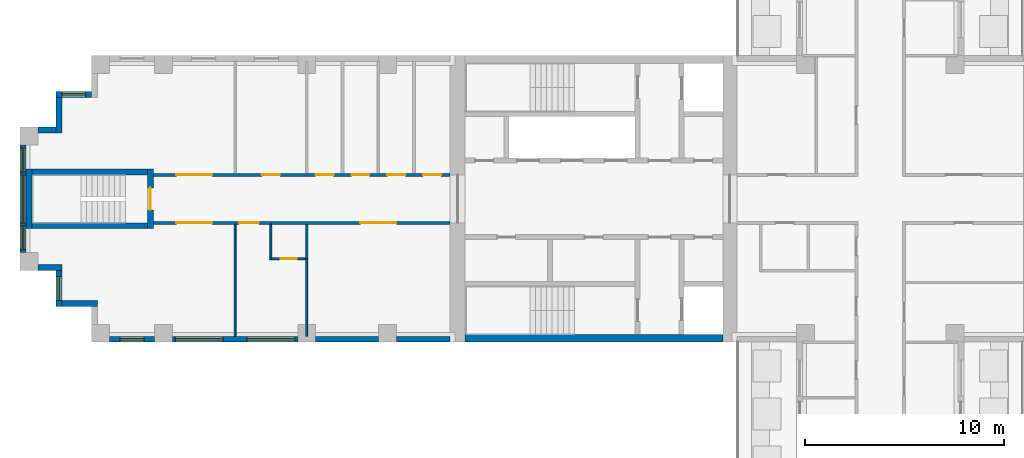
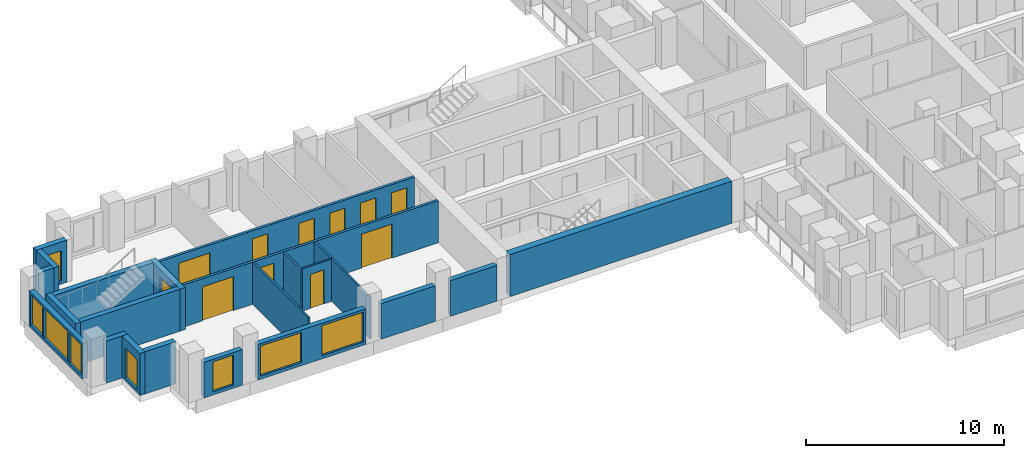
# One storey, part 2 of 11: 23 walls, 11 doors, 8 windows, 19 openings.
"""IFC4 building model written with IfcOpenShell, lengths in metres."""

from ifc_helpers import new_model, si_unit, direction, frame, frame_2d, origin, place, context, subcontext, project, spatial, rectangle, extrude, material, layer, layer_set, type_object, element, fill, save


model = new_model("IFC4")

# Units and contexts
model_context = context("Model", 3, precision=1e-05, world=origin(), true_north=direction((0.0, 1.0)))
body_context = subcontext(model_context, "Body", "Model", "MODEL_VIEW")
ifc_project = project(units=[si_unit("LENGTHUNIT", "METRE"), si_unit("AREAUNIT", "SQUARE_METRE"), si_unit("VOLUMEUNIT", "CUBIC_METRE"), si_unit("PLANEANGLEUNIT", "RADIAN"), si_unit("MASSUNIT", "GRAM", prefix="KILO")], contexts=[model_context])

# Site, building, storey
site_placement = place(None, origin())
site = spatial("IfcSite", under=ifc_project, at=site_placement, CompositionType="ELEMENT")
building_placement = place(site_placement, origin())
building = spatial("IfcBuilding", under=site, at=building_placement, Name="Fustian Cross Tower", CompositionType="ELEMENT")
storey_placement = place(building_placement, frame((0.0, 0.0, 170.699951171875)))
storey = spatial("IfcBuildingStorey", under=building, at=storey_placement, Name="L53", CompositionType="ELEMENT", Elevation=170.699951171875)

# Wall, openings, doors
ifc_material_1 = material(Name="Plasterboard on steel stud", Category="steel")
ifc_layer_1 = layer(ifc_material_1, 0.14990234375)
ifc_layer_set_1 = layer_set([ifc_layer_1], Name="Plasterboard on steel stud")
wall_type_1 = type_object("IfcWallType", Name="COMPARTMENT WALL 150 EI 60", PredefinedType="PARTITIONING", material=ifc_layer_set_1)
wall_1_placement = place(storey_placement, frame((-36.5, -1.199951171875, 0.0), z_axis=(0.0, 0.0, 1.0), x_axis=(1.0, 0.0, 0.0)))
wall_1 = element("IfcWall", 1, at=wall_1_placement, inside=storey, type_object=wall_type_1, Name="Partition 1", PredefinedType="PARTITIONING", context=body_context, shape_type="SweptSolid", body=[
    extrude(rectangle(XDim=14.89990234375, YDim=0.14990234375, at=frame_2d((7.449951171875, 0.0))), origin(), (0.0, 0.0, 1.0), 2.60009765625),
])
opening_1_placement = place(wall_1_placement, frame((10.39990234375, 0.0, 0.0)))
opening_1 = element("IfcOpeningElement", 2, at=opening_1_placement, cuts=wall_1, Name="Opening D25021", PredefinedType="OPENING", context=body_context, shape_type="SweptSolid", body=[
    extrude(rectangle(XDim=1.800048828125, YDim=2.10009765625, at=frame_2d((0.89990234375, 1.050048828125))), frame((0.0, 0.0849609375, 0.0), z_axis=(0.0, -1.0, 0.0), x_axis=(1.0, 0.0, 0.0)), (0.0, 0.0, 1.0), 0.169921875),
])
opening_2_placement = place(wall_1_placement, frame((4.300048828125, 0.0, 0.0)))
opening_2 = element("IfcOpeningElement", 3, at=opening_2_placement, cuts=wall_1, Name="Opening D25023", PredefinedType="OPENING", context=body_context, shape_type="SweptSolid", body=[
    extrude(rectangle(XDim=1.0, YDim=2.10009765625, at=frame_2d((0.5, 1.050048828125))), frame((0.0, 0.0849609375, 0.0), z_axis=(0.0, -1.0, 0.0), x_axis=(1.0, 0.0, 0.0)), (0.0, 0.0, 1.0), 0.169921875),
])
opening_3_placement = place(wall_1_placement, frame((1.14990234375, 0.0, 0.0)))
opening_3 = element("IfcOpeningElement", 4, at=opening_3_placement, cuts=wall_1, Name="Opening D25024", PredefinedType="OPENING", context=body_context, shape_type="SweptSolid", body=[
    extrude(rectangle(XDim=1.800048828125, YDim=2.10009765625, at=frame_2d((0.89990234375, 1.050048828125))), frame((0.0, 0.0849609375, 0.0), z_axis=(0.0, -1.0, 0.0), x_axis=(1.0, 0.0, 0.0)), (0.0, 0.0, 1.0), 0.169921875),
])
ifc_material_2 = material(Name="Timber fire door set", Category="wood")
door_type_1 = type_object("IfcDoorType", Name="FIRE DOUBLE DOOR 1800 FD30S", OperationType="DOUBLE_DOOR_DOUBLE_SWING", PredefinedType="DOOR", material=ifc_material_2)
door_1_placement = place(opening_1_placement, origin())
door_1 = element("IfcDoor", 5, at=door_1_placement, inside=storey, type_object=door_type_1, Name="Door D25021", OperationType="DOUBLE_DOOR_DOUBLE_SWING", OverallHeight=2.10009765625, OverallWidth=1.800048828125, PredefinedType="DOOR", context=body_context, shape_type="SweptSolid", body=[
    extrude(rectangle(XDim=1.800048828125, YDim=2.10009765625, at=frame_2d((0.89990234375, 1.050048828125))), frame((0.0, 0.02490234375, 0.0), z_axis=(0.0, -1.0, 0.0), x_axis=(1.0, 0.0, 0.0)), (0.0, 0.0, 1.0), 0.050048828125),
])
fill(opening_1, door_1)
door_2_placement = place(opening_3_placement, origin())
door_2 = element("IfcDoor", 6, at=door_2_placement, inside=storey, type_object=door_type_1, Name="Door D25024", OperationType="DOUBLE_DOOR_DOUBLE_SWING", OverallHeight=2.10009765625, OverallWidth=1.800048828125, PredefinedType="DOOR", context=body_context, shape_type="SweptSolid", body=[
    extrude(rectangle(XDim=1.800048828125, YDim=2.10009765625, at=frame_2d((0.89990234375, 1.050048828125))), frame((0.0, 0.02490234375, 0.0), z_axis=(0.0, -1.0, 0.0), x_axis=(1.0, 0.0, 0.0)), (0.0, 0.0, 1.0), 0.050048828125),
])
fill(opening_3, door_2)
ifc_material_3 = material(Name="Timber fire door set", Category="wood")
door_type_2 = type_object("IfcDoorType", Name="FIRE SWING DOOR 1000 FD30S", OperationType="SINGLE_SWING_LEFT", PredefinedType="DOOR", material=ifc_material_3)
door_3_placement = place(opening_2_placement, frame((1.0, 0.0, 0.0), z_axis=(0.0, 0.0, 1.0), x_axis=(-1.0, 0.0, 0.0)))
door_3 = element("IfcDoor", 7, at=door_3_placement, inside=storey, type_object=door_type_2, Name="Door D25023", OperationType="SINGLE_SWING_RIGHT", OverallHeight=2.10009765625, OverallWidth=1.0, PredefinedType="DOOR", context=body_context, shape_type="SweptSolid", body=[
    extrude(rectangle(XDim=1.0, YDim=2.10009765625, at=frame_2d((0.5, 1.050048828125))), frame((0.0, 0.02490234375, 0.0), z_axis=(0.0, -1.0, 0.0), x_axis=(1.0, 0.0, 0.0)), (0.0, 0.0, 1.0), 0.050048828125),
])
fill(opening_2, door_3)

wall_2_placement = place(storey_placement, frame((-36.5, 1.199951171875, 0.0), z_axis=(0.0, 0.0, 1.0), x_axis=(1.0, 0.0, 0.0)))
wall_2 = element("IfcWall", 8, at=wall_2_placement, inside=storey, type_object=wall_type_1, Name="Partition 2", PredefinedType="PARTITIONING", context=body_context, shape_type="SweptSolid", body=[
    extrude(rectangle(XDim=14.89990234375, YDim=0.14990234375, at=frame_2d((7.449951171875, 0.0))), origin(), (0.0, 0.0, 1.0), 2.60009765625),
])
opening_4_placement = place(wall_2_placement, frame((13.550048828125, 0.0, 0.0)))
opening_4 = element("IfcOpeningElement", 9, at=opening_4_placement, cuts=wall_2, Name="Opening D25025", PredefinedType="OPENING", context=body_context, shape_type="SweptSolid", body=[
    extrude(rectangle(XDim=0.89990234375, YDim=2.10009765625, at=frame_2d((0.449951171875, 1.050048828125))), frame((0.0, 0.0849609375, 0.0), z_axis=(0.0, -1.0, 0.0), x_axis=(1.0, 0.0, 0.0)), (0.0, 0.0, 1.0), 0.169921875),
])
opening_5_placement = place(wall_2_placement, frame((11.75, 0.0, 0.0)))
opening_5 = element("IfcOpeningElement", 10, at=opening_5_placement, cuts=wall_2, Name="Opening D25026", PredefinedType="OPENING", context=body_context, shape_type="SweptSolid", body=[
    extrude(rectangle(XDim=0.89990234375, YDim=2.10009765625, at=frame_2d((0.449951171875, 1.050048828125))), frame((0.0, 0.0849609375, 0.0), z_axis=(0.0, -1.0, 0.0), x_axis=(1.0, 0.0, 0.0)), (0.0, 0.0, 1.0), 0.169921875),
])
opening_6_placement = place(wall_2_placement, frame((9.949951171875, 0.0, 0.0)))
opening_6 = element("IfcOpeningElement", 11, at=opening_6_placement, cuts=wall_2, Name="Opening D25027", PredefinedType="OPENING", context=body_context, shape_type="SweptSolid", body=[
    extrude(rectangle(XDim=0.89990234375, YDim=2.10009765625, at=frame_2d((0.449951171875, 1.050048828125))), frame((0.0, 0.0849609375, 0.0), z_axis=(0.0, -1.0, 0.0), x_axis=(1.0, 0.0, 0.0)), (0.0, 0.0, 1.0), 0.169921875),
])
opening_7_placement = place(wall_2_placement, frame((8.14990234375, 0.0, 0.0)))
opening_7 = element("IfcOpeningElement", 12, at=opening_7_placement, cuts=wall_2, Name="Opening D25028", PredefinedType="OPENING", context=body_context, shape_type="SweptSolid", body=[
    extrude(rectangle(XDim=0.89990234375, YDim=2.10009765625, at=frame_2d((0.449951171875, 1.050048828125))), frame((0.0, 0.0849609375, 0.0), z_axis=(0.0, -1.0, 0.0), x_axis=(1.0, 0.0, 0.0)), (0.0, 0.0, 1.0), 0.169921875),
])
opening_8_placement = place(wall_2_placement, frame((5.449951171875, 0.0, 0.0)))
opening_8 = element("IfcOpeningElement", 13, at=opening_8_placement, cuts=wall_2, Name="Opening D25029", PredefinedType="OPENING", context=body_context, shape_type="SweptSolid", body=[
    extrude(rectangle(XDim=0.89990234375, YDim=2.10009765625, at=frame_2d((0.449951171875, 1.050048828125))), frame((0.0, 0.0849609375, 0.0), z_axis=(0.0, -1.0, 0.0), x_axis=(1.0, 0.0, 0.0)), (0.0, 0.0, 1.0), 0.169921875),
])
opening_9_placement = place(wall_2_placement, frame((1.14990234375, 0.0, 0.0)))
opening_9 = element("IfcOpeningElement", 14, at=opening_9_placement, cuts=wall_2, Name="Opening D25030", PredefinedType="OPENING", context=body_context, shape_type="SweptSolid", body=[
    extrude(rectangle(XDim=1.800048828125, YDim=2.10009765625, at=frame_2d((0.89990234375, 1.050048828125))), frame((0.0, 0.0849609375, 0.0), z_axis=(0.0, -1.0, 0.0), x_axis=(1.0, 0.0, 0.0)), (0.0, 0.0, 1.0), 0.169921875),
])
door_4_placement = place(opening_9_placement, frame((1.800048828125, 0.0, 0.0), z_axis=(0.0, 0.0, 1.0), x_axis=(-1.0, 0.0, 0.0)))
door_4 = element("IfcDoor", 15, at=door_4_placement, inside=storey, type_object=door_type_1, Name="Door D25030", OperationType="DOUBLE_DOOR_DOUBLE_SWING", OverallHeight=2.10009765625, OverallWidth=1.800048828125, PredefinedType="DOOR", context=body_context, shape_type="SweptSolid", body=[
    extrude(rectangle(XDim=1.800048828125, YDim=2.10009765625, at=frame_2d((0.89990234375, 1.050048828125))), frame((0.0, 0.02490234375, 0.0), z_axis=(0.0, -1.0, 0.0), x_axis=(1.0, 0.0, 0.0)), (0.0, 0.0, 1.0), 0.050048828125),
])
fill(opening_9, door_4)
ifc_material_4 = material(Name="Timber fire door set", Category="wood")
door_type_3 = type_object("IfcDoorType", Name="FIRE SWING DOOR 900 FD30S", OperationType="SINGLE_SWING_LEFT", PredefinedType="DOOR", material=ifc_material_4)
door_5_placement = place(opening_4_placement, frame((0.89990234375, 0.0, 0.0), z_axis=(0.0, 0.0, 1.0), x_axis=(-1.0, 0.0, 0.0)))
door_5 = element("IfcDoor", 16, at=door_5_placement, inside=storey, type_object=door_type_3, Name="Door D25025", OperationType="SINGLE_SWING_LEFT", OverallHeight=2.10009765625, OverallWidth=0.89990234375, PredefinedType="DOOR", context=body_context, shape_type="SweptSolid", body=[
    extrude(rectangle(XDim=0.89990234375, YDim=2.10009765625, at=frame_2d((0.449951171875, 1.050048828125))), frame((0.0, 0.02490234375, 0.0), z_axis=(0.0, -1.0, 0.0), x_axis=(1.0, 0.0, 0.0)), (0.0, 0.0, 1.0), 0.050048828125),
])
fill(opening_4, door_5)
door_6_placement = place(opening_5_placement, origin())
door_6 = element("IfcDoor", 17, at=door_6_placement, inside=storey, type_object=door_type_3, Name="Door D25026", OperationType="SINGLE_SWING_RIGHT", OverallHeight=2.10009765625, OverallWidth=0.89990234375, PredefinedType="DOOR", context=body_context, shape_type="SweptSolid", body=[
    extrude(rectangle(XDim=0.89990234375, YDim=2.10009765625, at=frame_2d((0.449951171875, 1.050048828125))), frame((0.0, 0.02490234375, 0.0), z_axis=(0.0, -1.0, 0.0), x_axis=(1.0, 0.0, 0.0)), (0.0, 0.0, 1.0), 0.050048828125),
])
fill(opening_5, door_6)
door_7_placement = place(opening_6_placement, origin())
door_7 = element("IfcDoor", 18, at=door_7_placement, inside=storey, type_object=door_type_3, Name="Door D25027", OperationType="SINGLE_SWING_RIGHT", OverallHeight=2.10009765625, OverallWidth=0.89990234375, PredefinedType="DOOR", context=body_context, shape_type="SweptSolid", body=[
    extrude(rectangle(XDim=0.89990234375, YDim=2.10009765625, at=frame_2d((0.449951171875, 1.050048828125))), frame((0.0, 0.02490234375, 0.0), z_axis=(0.0, -1.0, 0.0), x_axis=(1.0, 0.0, 0.0)), (0.0, 0.0, 1.0), 0.050048828125),
])
fill(opening_6, door_7)
door_8_placement = place(opening_7_placement, origin())
door_8 = element("IfcDoor", 19, at=door_8_placement, inside=storey, type_object=door_type_3, Name="Door D25028", OperationType="SINGLE_SWING_RIGHT", OverallHeight=2.10009765625, OverallWidth=0.89990234375, PredefinedType="DOOR", context=body_context, shape_type="SweptSolid", body=[
    extrude(rectangle(XDim=0.89990234375, YDim=2.10009765625, at=frame_2d((0.449951171875, 1.050048828125))), frame((0.0, 0.02490234375, 0.0), z_axis=(0.0, -1.0, 0.0), x_axis=(1.0, 0.0, 0.0)), (0.0, 0.0, 1.0), 0.050048828125),
])
fill(opening_7, door_8)
door_9_placement = place(opening_8_placement, origin())
door_9 = element("IfcDoor", 20, at=door_9_placement, inside=storey, type_object=door_type_3, Name="Door D25029", OperationType="SINGLE_SWING_LEFT", OverallHeight=2.10009765625, OverallWidth=0.89990234375, PredefinedType="DOOR", context=body_context, shape_type="SweptSolid", body=[
    extrude(rectangle(XDim=0.89990234375, YDim=2.10009765625, at=frame_2d((0.449951171875, 1.050048828125))), frame((0.0, 0.02490234375, 0.0), z_axis=(0.0, -1.0, 0.0), x_axis=(1.0, 0.0, 0.0)), (0.0, 0.0, 1.0), 0.050048828125),
])
fill(opening_8, door_9)

# Walls
ifc_material_5 = material(Name="Concrete C50/60", Category="concrete")
ifc_layer_2 = layer(ifc_material_5, 0.39990234375)
ifc_layer_set_2 = layer_set([ifc_layer_2], Name="Concrete C50/60")
wall_type_2 = type_object("IfcWallType", Name="CORE FACADE WALL 400 C50/60", PredefinedType="SHEAR", material=ifc_layer_set_2)
wall_3_placement = place(storey_placement, frame((-7.89990234375, -7.0, 0.0), z_axis=(0.0, 0.0, 1.0), x_axis=(-1.0, 0.0, 0.0)))
element("IfcWall", 21, at=wall_3_placement, inside=storey, type_object=wall_type_2, Name="Core facade wall", PredefinedType="SHEAR", context=body_context, shape_type="SweptSolid", body=[
    extrude(rectangle(XDim=12.9501953125, YDim=0.39990234375, at=frame_2d((6.47509765625, 0.0))), origin(), (0.0, 0.0, 1.0), 2.60009765625),
])
ifc_material_6 = material(Name="Plasterboard on steel stud", Category="steel")
ifc_layer_3 = layer(ifc_material_6, 0.10009765625)
ifc_layer_set_3 = layer_set([ifc_layer_3], Name="Plasterboard on steel stud")
wall_type_3 = type_object("IfcWallType", Name="PARTITION 100 STUD", PredefinedType="PARTITIONING", material=ifc_layer_set_3)
wall_4_placement = place(storey_placement, frame((-32.39990234375, -6.89990234375, 0.0), z_axis=(0.0, 0.0, 1.0), x_axis=(0.0, 1.0, 0.0)))
element("IfcWall", 22, at=wall_4_placement, inside=storey, type_object=wall_type_3, Name="Partition 3", PredefinedType="PARTITIONING", context=body_context, shape_type="SweptSolid", body=[
    extrude(rectangle(XDim=5.625, YDim=0.10009765625, at=frame_2d((2.8125, 0.0))), origin(), (0.0, 0.0, 1.0), 2.60009765625),
])
wall_5_placement = place(storey_placement, frame((-30.60009765625, -3.050048828125, 0.0), z_axis=(0.0, 0.0, 1.0), x_axis=(0.0, 1.0, 0.0)))
element("IfcWall", 23, at=wall_5_placement, inside=storey, type_object=wall_type_3, Name="Partition 5", PredefinedType="PARTITIONING", context=body_context, shape_type="SweptSolid", body=[
    extrude(rectangle(XDim=1.775146484375, YDim=0.10009765625, at=frame_2d((0.8876953125, 0.0))), origin(), (0.0, 0.0, 1.0), 2.60009765625),
])

# Wall, opening, door
wall_6_placement = place(storey_placement, frame((-30.550048828125, -3.0, 0.0), z_axis=(0.0, 0.0, 1.0), x_axis=(1.0, 0.0, 0.0)))
wall_6 = element("IfcWall", 24, at=wall_6_placement, inside=storey, type_object=wall_type_3, Name="Partition 6", PredefinedType="PARTITIONING", context=body_context, shape_type="SweptSolid", body=[
    extrude(rectangle(XDim=1.6875, YDim=0.10009765625, at=frame_2d((0.84375, 0.0))), origin(), (0.0, 0.0, 1.0), 2.60009765625),
])
opening_10_placement = place(wall_6_placement, frame((0.449951171875, 0.0, 0.0)))
opening_10 = element("IfcOpeningElement", 25, at=opening_10_placement, cuts=wall_6, Name="Opening D25022", PredefinedType="OPENING", context=body_context, shape_type="SweptSolid", body=[
    extrude(rectangle(XDim=0.800048828125, YDim=2.10009765625, at=frame_2d((0.39990234375, 1.050048828125))), frame((0.0, 0.06005859375, 0.0), z_axis=(0.0, -1.0, 0.0), x_axis=(1.0, 0.0, 0.0)), (0.0, 0.0, 1.0), 0.1201171875),
])
ifc_material_7 = material(Name="Painted timber", Category="wood")
door_type_4 = type_object("IfcDoorType", Name="SWING DOOR 800", OperationType="SINGLE_SWING_LEFT", PredefinedType="DOOR", material=ifc_material_7)
door_10_placement = place(opening_10_placement, origin())
door_10 = element("IfcDoor", 26, at=door_10_placement, inside=storey, type_object=door_type_4, Name="Door D25022", OperationType="SINGLE_SWING_RIGHT", OverallHeight=2.10009765625, OverallWidth=0.800048828125, PredefinedType="DOOR", context=body_context, shape_type="SweptSolid", body=[
    extrude(rectangle(XDim=0.800048828125, YDim=2.10009765625, at=frame_2d((0.39990234375, 1.050048828125))), frame((0.0, 0.02490234375, 0.0), z_axis=(0.0, -1.0, 0.0), x_axis=(1.0, 0.0, 0.0)), (0.0, 0.0, 1.0), 0.050048828125),
])
fill(opening_10, door_10)

# Wall
wall_7_placement = place(storey_placement, frame((-28.800048828125, -6.89990234375, 0.0), z_axis=(0.0, 0.0, 1.0), x_axis=(0.0, 1.0, 0.0)))
element("IfcWall", 27, at=wall_7_placement, inside=storey, type_object=wall_type_3, Name="Partition 7", PredefinedType="PARTITIONING", context=body_context, shape_type="SweptSolid", body=[
    extrude(rectangle(XDim=3.89990234375, YDim=0.10009765625, at=frame_2d((1.949951171875, 0.0))), origin(), (0.0, 0.0, 1.0), 2.60009765625),
])

# Wall, opening, door
ifc_material_8 = material(Name="Concrete C50/60", Category="concrete")
ifc_layer_4 = layer(ifc_material_8, 0.300048828125)
ifc_layer_set_4 = layer_set([ifc_layer_4], Name="Concrete C50/60")
wall_type_4 = type_object("IfcWallType", Name="STAIR ENCLOSURE WALL 300 C50/60", PredefinedType="SHEAR", material=ifc_layer_set_4)
wall_8_placement = place(storey_placement, frame((-36.64990234375, -1.5, 0.0), z_axis=(0.0, 0.0, 1.0), x_axis=(0.0, 1.0, 0.0)))
wall_8 = element("IfcWall", 28, at=wall_8_placement, inside=storey, type_object=wall_type_4, Name="Stair enclosure wall", PredefinedType="SHEAR", context=body_context, shape_type="SweptSolid", body=[
    extrude(rectangle(XDim=3.0, YDim=0.300048828125, at=frame_2d((1.5, 0.0))), origin(), (0.0, 0.0, 1.0), 2.60009765625),
])
opening_11_placement = place(wall_8_placement, frame((0.949951171875, 0.0, 0.0)))
opening_11 = element("IfcOpeningElement", 29, at=opening_11_placement, cuts=wall_8, Name="Opening CD-22-33", PredefinedType="OPENING", context=body_context, shape_type="SweptSolid", body=[
    extrude(rectangle(XDim=1.10009765625, YDim=2.10009765625, at=frame_2d((0.550048828125, 1.050048828125))), frame((0.0, 0.159912109375, 0.0), z_axis=(0.0, -1.0, 0.0), x_axis=(1.0, 0.0, 0.0)), (0.0, 0.0, 1.0), 0.320068359375),
])
ifc_material_9 = material(Name="Steel", Category="steel")
door_type_5 = type_object("IfcDoorType", Name="FIRE DOOR FD60S 1100X2100", OperationType="SINGLE_SWING_LEFT", PredefinedType="DOOR", material=ifc_material_9)
door_11_placement = place(opening_11_placement, origin())
door_11 = element("IfcDoor", 30, at=door_11_placement, inside=storey, type_object=door_type_5, Name="Core door CD-22-33", OperationType="SINGLE_SWING_LEFT", OverallHeight=2.10009765625, OverallWidth=1.10009765625, PredefinedType="DOOR", context=body_context, shape_type="SweptSolid", body=[
    extrude(rectangle(XDim=1.10009765625, YDim=2.10009765625, at=frame_2d((0.550048828125, 1.050048828125))), frame((0.0, 0.02490234375, 0.0), z_axis=(0.0, -1.0, 0.0), x_axis=(1.0, 0.0, 0.0)), (0.0, 0.0, 1.0), 0.050048828125),
])
fill(opening_11, door_11)

# Walls
wall_9_placement = place(storey_placement, frame((-42.75, -1.5, 0.0), z_axis=(0.0, 0.0, 1.0), x_axis=(0.0, 1.0, 0.0)))
element("IfcWall", 31, at=wall_9_placement, inside=storey, type_object=wall_type_4, Name="Stair enclosure wall", PredefinedType="SHEAR", context=body_context, shape_type="SweptSolid", body=[
    extrude(rectangle(XDim=3.0, YDim=0.300048828125, at=frame_2d((1.5, 0.0))), origin(), (0.0, 0.0, 1.0), 2.60009765625),
])
for number, where, z_axis, x_axis, name in (
    (32, (-36.800048828125, -1.35009765625, 0.0), (0.0, 0.0, 1.0), (-1.0, 0.0, 0.0), "Stair enclosure wall"),
    (33, (-36.800048828125, 1.35009765625, 0.0), (0.0, 0.0, 1.0), (-1.0, 0.0, 0.0), "Stair enclosure wall"),
):
    element("IfcWall", number, at=place(storey_placement, frame(where, z_axis=z_axis, x_axis=x_axis)), inside=storey, type_object=wall_type_4, Name=name, PredefinedType="SHEAR", context=body_context, shape_type="SweptSolid", body=[
        extrude(rectangle(XDim=5.800048828125, YDim=0.300048828125, at=frame_2d((2.89990234375, 0.0))), origin(), (0.0, 0.0, 1.0), 2.60009765625),
    ])
ifc_material_10 = material(Name="Plasterboard on steel stud", Category="steel")
ifc_layer_5 = layer(ifc_material_10, 0.125)
ifc_layer_set_5 = layer_set([ifc_layer_5], Name="Plasterboard on steel stud")
wall_type_5 = type_object("IfcWallType", Name="WET WALL 125 STUD", PredefinedType="PARTITIONING", material=ifc_layer_set_5)
wall_10_placement = place(storey_placement, frame((-28.800048828125, -3.0, 0.0), z_axis=(0.0, 0.0, 1.0), x_axis=(0.0, 1.0, 0.0)))
element("IfcWall", 34, at=wall_10_placement, inside=storey, type_object=wall_type_5, Name="Partition 8", PredefinedType="PARTITIONING", context=body_context, shape_type="SweptSolid", body=[
    extrude(rectangle(XDim=1.72509765625, YDim=0.125, at=frame_2d((0.862548828125, 0.0))), origin(), (0.0, 0.0, 1.0), 2.60009765625),
])

# Wall, opening, window
ifc_material_11 = material(Name="Dark aluminium cladding on insulated backing wall", Category="aluminium")
ifc_layer_6 = layer(ifc_material_11, 0.300048828125)
ifc_layer_set_6 = layer_set([ifc_layer_6], Name="Dark aluminium cladding on insulated backing wall")
wall_type_6 = type_object("IfcWallType", Name="XW1 EXTERNAL WALL 300", PredefinedType="SOLIDWALL", material=ifc_layer_set_6)
wall_11_placement = place(storey_placement, frame((-39.60009765625, 5.25, 0.0), z_axis=(0.0, 0.0, 1.0), x_axis=(-1.0, 0.0, 0.0)))
wall_11 = element("IfcWall", 35, at=wall_11_placement, inside=storey, type_object=wall_type_6, Name="External wall", PredefinedType="SOLIDWALL", context=body_context, shape_type="SweptSolid", body=[
    extrude(rectangle(XDim=1.7998046875, YDim=0.300048828125, at=frame_2d((0.89990234375, 0.0))), origin(), (0.0, 0.0, 1.0), 2.60009765625),
])
opening_12_placement = place(wall_11_placement, frame((0.300048828125, 0.0, 0.199951171875)))
opening_12 = element("IfcOpeningElement", 36, at=opening_12_placement, cuts=wall_11, Name="Opening WN3", PredefinedType="OPENING", context=body_context, shape_type="SweptSolid", body=[
    extrude(rectangle(XDim=1.199951171875, YDim=1.85009765625, at=frame_2d((0.60009765625, 0.925048828125))), frame((0.0, 0.159912109375, 0.0), z_axis=(0.0, -1.0, 0.0), x_axis=(1.0, 0.0, 0.0)), (0.0, 0.0, 1.0), 0.320068359375),
])
ifc_material_12 = material(Name="Dark anodised aluminium and double glazing", Category="aluminium")
window_type_1 = type_object("IfcWindowType", Name="WN3 WINDOW 1200X1850", PartitioningType="SINGLE_PANEL", PredefinedType="WINDOW", material=ifc_material_12)
window_1_placement = place(opening_12_placement, origin())
window_1 = element("IfcWindow", 37, at=window_1_placement, inside=storey, type_object=window_type_1, Name="Window", OverallHeight=1.85009765625, OverallWidth=1.199951171875, PartitioningType="SINGLE_PANEL", PredefinedType="WINDOW", context=body_context, shape_type="SweptSolid", body=[
    extrude(rectangle(XDim=1.199951171875, YDim=1.85009765625, at=frame_2d((0.60009765625, 0.925048828125))), frame((0.0, 0.030029296875, 0.0), z_axis=(0.0, -1.0, 0.0), x_axis=(1.0, 0.0, 0.0)), (0.0, 0.0, 1.0), 0.06005859375),
])
fill(opening_12, window_1)

# Walls
wall_12_placement = place(storey_placement, frame((-41.25, 5.10009765625, 0.0), z_axis=(0.0, 0.0, 1.0), x_axis=(0.0, -1.0, 0.0)))
element("IfcWall", 38, at=wall_12_placement, inside=storey, type_object=wall_type_6, Name="External wall", PredefinedType="SOLIDWALL", context=body_context, shape_type="SweptSolid", body=[
    extrude(rectangle(XDim=1.800048828125, YDim=0.300048828125, at=frame_2d((0.89990234375, 0.0))), origin(), (0.0, 0.0, 1.0), 2.60009765625),
])
wall_13_placement = place(storey_placement, frame((-41.39990234375, 3.449951171875, 0.0), z_axis=(0.0, 0.0, 1.0), x_axis=(-1.0, 0.0, 0.0)))
element("IfcWall", 39, at=wall_13_placement, inside=storey, type_object=wall_type_6, Name="External wall", PredefinedType="SOLIDWALL", context=body_context, shape_type="SweptSolid", body=[
    extrude(rectangle(XDim=0.900146484375, YDim=0.300048828125, at=frame_2d((0.4501953125, 0.0))), origin(), (0.0, 0.0, 1.0), 2.60009765625),
])

# Wall, openings, windows
wall_14_placement = place(storey_placement, frame((-43.050048828125, 2.699951171875, 0.0), z_axis=(0.0, 0.0, 1.0), x_axis=(0.0, -1.0, 0.0)))
wall_14 = element("IfcWall", 40, at=wall_14_placement, inside=storey, type_object=wall_type_6, Name="External wall", PredefinedType="SOLIDWALL", context=body_context, shape_type="SweptSolid", body=[
    extrude(rectangle(XDim=5.39990234375, YDim=0.300048828125, at=frame_2d((2.699951171875, 0.0))), origin(), (0.0, 0.0, 1.0), 2.199951171875),
])
opening_13_placement = place(wall_14_placement, frame((1.5, 0.0, 0.199951171875)))
opening_13 = element("IfcOpeningElement", 41, at=opening_13_placement, cuts=wall_14, Name="Opening WN1", PredefinedType="OPENING", context=body_context, shape_type="SweptSolid", body=[
    extrude(rectangle(XDim=2.39990234375, YDim=1.85009765625, at=frame_2d((1.199951171875, 0.925048828125))), frame((0.0, 0.159912109375, 0.0), z_axis=(0.0, -1.0, 0.0), x_axis=(1.0, 0.0, 0.0)), (0.0, 0.0, 1.0), 0.320068359375),
])
opening_14_placement = place(wall_14_placement, frame((0.14990234375, 0.0, 0.199951171875)))
opening_14 = element("IfcOpeningElement", 42, at=opening_14_placement, cuts=wall_14, Name="Opening WN3", PredefinedType="OPENING", context=body_context, shape_type="SweptSolid", body=[
    extrude(rectangle(XDim=1.199951171875, YDim=1.85009765625, at=frame_2d((0.60009765625, 0.925048828125))), frame((0.0, 0.159912109375, 0.0), z_axis=(0.0, -1.0, 0.0), x_axis=(1.0, 0.0, 0.0)), (0.0, 0.0, 1.0), 0.320068359375),
])
opening_15_placement = place(wall_14_placement, frame((4.050048828125, 0.0, 0.199951171875)))
opening_15 = element("IfcOpeningElement", 43, at=opening_15_placement, cuts=wall_14, Name="Opening WN3", PredefinedType="OPENING", context=body_context, shape_type="SweptSolid", body=[
    extrude(rectangle(XDim=1.199951171875, YDim=1.85009765625, at=frame_2d((0.60009765625, 0.925048828125))), frame((0.0, 0.159912109375, 0.0), z_axis=(0.0, -1.0, 0.0), x_axis=(1.0, 0.0, 0.0)), (0.0, 0.0, 1.0), 0.320068359375),
])
ifc_material_13 = material(Name="Dark anodised aluminium and double glazing", Category="aluminium")
window_type_2 = type_object("IfcWindowType", Name="WN1 WINDOW 2400X1850", PartitioningType="SINGLE_PANEL", PredefinedType="WINDOW", material=ifc_material_13)
window_2_placement = place(opening_13_placement, origin())
window_2 = element("IfcWindow", 44, at=window_2_placement, inside=storey, type_object=window_type_2, Name="Window", OverallHeight=1.85009765625, OverallWidth=2.39990234375, PartitioningType="SINGLE_PANEL", PredefinedType="WINDOW", context=body_context, shape_type="SweptSolid", body=[
    extrude(rectangle(XDim=2.39990234375, YDim=1.85009765625, at=frame_2d((1.199951171875, 0.925048828125))), frame((0.0, 0.030029296875, 0.0), z_axis=(0.0, -1.0, 0.0), x_axis=(1.0, 0.0, 0.0)), (0.0, 0.0, 1.0), 0.06005859375),
])
fill(opening_13, window_2)
window_3_placement = place(opening_14_placement, origin())
window_3 = element("IfcWindow", 45, at=window_3_placement, inside=storey, type_object=window_type_1, Name="Window", OverallHeight=1.85009765625, OverallWidth=1.199951171875, PartitioningType="SINGLE_PANEL", PredefinedType="WINDOW", context=body_context, shape_type="SweptSolid", body=[
    extrude(rectangle(XDim=1.199951171875, YDim=1.85009765625, at=frame_2d((0.60009765625, 0.925048828125))), frame((0.0, 0.030029296875, 0.0), z_axis=(0.0, -1.0, 0.0), x_axis=(1.0, 0.0, 0.0)), (0.0, 0.0, 1.0), 0.06005859375),
])
fill(opening_14, window_3)
window_4_placement = place(opening_15_placement, origin())
window_4 = element("IfcWindow", 46, at=window_4_placement, inside=storey, type_object=window_type_1, Name="Window", OverallHeight=1.85009765625, OverallWidth=1.199951171875, PartitioningType="SINGLE_PANEL", PredefinedType="WINDOW", context=body_context, shape_type="SweptSolid", body=[
    extrude(rectangle(XDim=1.199951171875, YDim=1.85009765625, at=frame_2d((0.60009765625, 0.925048828125))), frame((0.0, 0.030029296875, 0.0), z_axis=(0.0, -1.0, 0.0), x_axis=(1.0, 0.0, 0.0)), (0.0, 0.0, 1.0), 0.06005859375),
])
fill(opening_15, window_4)

# Wall
wall_15_placement = place(storey_placement, frame((-42.300048828125, -3.449951171875, 0.0), z_axis=(0.0, 0.0, 1.0), x_axis=(1.0, 0.0, 0.0)))
element("IfcWall", 47, at=wall_15_placement, inside=storey, type_object=wall_type_6, Name="External wall", PredefinedType="SOLIDWALL", context=body_context, shape_type="SweptSolid", body=[
    extrude(rectangle(XDim=1.199951171875, YDim=0.300048828125, at=frame_2d((0.60009765625, 0.0))), origin(), (0.0, 0.0, 1.0), 2.60009765625),
])

# Wall, opening, window
wall_16_placement = place(storey_placement, frame((-41.25, -3.60009765625, 0.0), z_axis=(0.0, 0.0, 1.0), x_axis=(0.0, -1.0, 0.0)))
wall_16 = element("IfcWall", 48, at=wall_16_placement, inside=storey, type_object=wall_type_6, Name="External wall", PredefinedType="SOLIDWALL", context=body_context, shape_type="SweptSolid", body=[
    extrude(rectangle(XDim=1.7998046875, YDim=0.300048828125, at=frame_2d((0.89990234375, 0.0))), origin(), (0.0, 0.0, 1.0), 2.60009765625),
])
opening_16_placement = place(wall_16_placement, frame((0.300048828125, 0.0, 0.199951171875)))
opening_16 = element("IfcOpeningElement", 49, at=opening_16_placement, cuts=wall_16, Name="Opening WN3", PredefinedType="OPENING", context=body_context, shape_type="SweptSolid", body=[
    extrude(rectangle(XDim=1.199951171875, YDim=1.85009765625, at=frame_2d((0.60009765625, 0.925048828125))), frame((0.0, 0.159912109375, 0.0), z_axis=(0.0, -1.0, 0.0), x_axis=(1.0, 0.0, 0.0)), (0.0, 0.0, 1.0), 0.320068359375),
])
window_5_placement = place(opening_16_placement, origin())
window_5 = element("IfcWindow", 50, at=window_5_placement, inside=storey, type_object=window_type_1, Name="Window", OverallHeight=1.85009765625, OverallWidth=1.199951171875, PartitioningType="SINGLE_PANEL", PredefinedType="WINDOW", context=body_context, shape_type="SweptSolid", body=[
    extrude(rectangle(XDim=1.199951171875, YDim=1.85009765625, at=frame_2d((0.60009765625, 0.925048828125))), frame((0.0, 0.030029296875, 0.0), z_axis=(0.0, -1.0, 0.0), x_axis=(1.0, 0.0, 0.0)), (0.0, 0.0, 1.0), 0.06005859375),
])
fill(opening_16, window_5)

# Wall
wall_17_placement = place(storey_placement, frame((-41.10009765625, -5.25, 0.0), z_axis=(0.0, 0.0, 1.0), x_axis=(1.0, 0.0, 0.0)))
element("IfcWall", 51, at=wall_17_placement, inside=storey, type_object=wall_type_6, Name="External wall", PredefinedType="SOLIDWALL", context=body_context, shape_type="SweptSolid", body=[
    extrude(rectangle(XDim=1.800048828125, YDim=0.300048828125, at=frame_2d((0.89990234375, 0.0))), origin(), (0.0, 0.0, 1.0), 2.60009765625),
])

# Wall, opening, window
wall_18_placement = place(storey_placement, frame((-38.699951171875, -7.050048828125, 0.0), z_axis=(0.0, 0.0, 1.0), x_axis=(1.0, 0.0, 0.0)))
wall_18 = element("IfcWall", 52, at=wall_18_placement, inside=storey, type_object=wall_type_6, Name="External wall", PredefinedType="SOLIDWALL", context=body_context, shape_type="SweptSolid", body=[
    extrude(rectangle(XDim=2.25, YDim=0.300048828125, at=frame_2d((1.125, 0.0))), origin(), (0.0, 0.0, 1.0), 2.199951171875),
])
opening_17_placement = place(wall_18_placement, frame((0.52490234375, 0.0, 0.199951171875)))
opening_17 = element("IfcOpeningElement", 53, at=opening_17_placement, cuts=wall_18, Name="Opening WN3", PredefinedType="OPENING", context=body_context, shape_type="SweptSolid", body=[
    extrude(rectangle(XDim=1.199951171875, YDim=1.85009765625, at=frame_2d((0.60009765625, 0.925048828125))), frame((0.0, 0.159912109375, 0.0), z_axis=(0.0, -1.0, 0.0), x_axis=(1.0, 0.0, 0.0)), (0.0, 0.0, 1.0), 0.320068359375),
])
window_6_placement = place(opening_17_placement, origin())
window_6 = element("IfcWindow", 54, at=window_6_placement, inside=storey, type_object=window_type_1, Name="Window", OverallHeight=1.85009765625, OverallWidth=1.199951171875, PartitioningType="SINGLE_PANEL", PredefinedType="WINDOW", context=body_context, shape_type="SweptSolid", body=[
    extrude(rectangle(XDim=1.199951171875, YDim=1.85009765625, at=frame_2d((0.60009765625, 0.925048828125))), frame((0.0, 0.030029296875, 0.0), z_axis=(0.0, -1.0, 0.0), x_axis=(1.0, 0.0, 0.0)), (0.0, 0.0, 1.0), 0.06005859375),
])
fill(opening_17, window_6)

# Wall, openings, windows
wall_19_placement = place(storey_placement, frame((-35.550048828125, -7.050048828125, 0.0), z_axis=(0.0, 0.0, 1.0), x_axis=(1.0, 0.0, 0.0)))
wall_19 = element("IfcWall", 55, at=wall_19_placement, inside=storey, type_object=wall_type_6, Name="External wall", PredefinedType="SOLIDWALL", context=body_context, shape_type="SweptSolid", body=[
    extrude(rectangle(XDim=6.300048828125, YDim=0.300048828125, at=frame_2d((3.14990234375, 0.0))), origin(), (0.0, 0.0, 1.0), 2.199951171875),
])
opening_18_placement = place(wall_19_placement, frame((0.14990234375, 0.0, 0.199951171875)))
opening_18 = element("IfcOpeningElement", 56, at=opening_18_placement, cuts=wall_19, Name="Opening WN1", PredefinedType="OPENING", context=body_context, shape_type="SweptSolid", body=[
    extrude(rectangle(XDim=2.39990234375, YDim=1.85009765625, at=frame_2d((1.199951171875, 0.925048828125))), frame((0.0, 0.159912109375, 0.0), z_axis=(0.0, -1.0, 0.0), x_axis=(1.0, 0.0, 0.0)), (0.0, 0.0, 1.0), 0.320068359375),
])
opening_19_placement = place(wall_19_placement, frame((3.75, 0.0, 0.199951171875)))
opening_19 = element("IfcOpeningElement", 57, at=opening_19_placement, cuts=wall_19, Name="Opening WN1", PredefinedType="OPENING", context=body_context, shape_type="SweptSolid", body=[
    extrude(rectangle(XDim=2.39990234375, YDim=1.85009765625, at=frame_2d((1.199951171875, 0.925048828125))), frame((0.0, 0.159912109375, 0.0), z_axis=(0.0, -1.0, 0.0), x_axis=(1.0, 0.0, 0.0)), (0.0, 0.0, 1.0), 0.320068359375),
])
window_7_placement = place(opening_18_placement, origin())
window_7 = element("IfcWindow", 58, at=window_7_placement, inside=storey, type_object=window_type_2, Name="Window", OverallHeight=1.85009765625, OverallWidth=2.39990234375, PartitioningType="SINGLE_PANEL", PredefinedType="WINDOW", context=body_context, shape_type="SweptSolid", body=[
    extrude(rectangle(XDim=2.39990234375, YDim=1.85009765625, at=frame_2d((1.199951171875, 0.925048828125))), frame((0.0, 0.030029296875, 0.0), z_axis=(0.0, -1.0, 0.0), x_axis=(1.0, 0.0, 0.0)), (0.0, 0.0, 1.0), 0.06005859375),
])
fill(opening_18, window_7)
window_8_placement = place(opening_19_placement, origin())
window_8 = element("IfcWindow", 59, at=window_8_placement, inside=storey, type_object=window_type_2, Name="Window", OverallHeight=1.85009765625, OverallWidth=2.39990234375, PartitioningType="SINGLE_PANEL", PredefinedType="WINDOW", context=body_context, shape_type="SweptSolid", body=[
    extrude(rectangle(XDim=2.39990234375, YDim=1.85009765625, at=frame_2d((1.199951171875, 0.925048828125))), frame((0.0, 0.030029296875, 0.0), z_axis=(0.0, -1.0, 0.0), x_axis=(1.0, 0.0, 0.0)), (0.0, 0.0, 1.0), 0.06005859375),
])
fill(opening_19, window_8)

# Walls
wall_20_placement = place(storey_placement, frame((-28.35009765625, -7.050048828125, 0.0), z_axis=(0.0, 0.0, 1.0), x_axis=(1.0, 0.0, 0.0)))
element("IfcWall", 60, at=wall_20_placement, inside=storey, type_object=wall_type_6, Name="External wall", PredefinedType="SOLIDWALL", context=body_context, shape_type="SweptSolid", body=[
    extrude(rectangle(XDim=3.150146484375, YDim=0.300048828125, at=frame_2d((1.5751953125, 0.0))), origin(), (0.0, 0.0, 1.0), 2.199951171875),
])
wall_21_placement = place(storey_placement, frame((-24.300048828125, -7.050048828125, 0.0), z_axis=(0.0, 0.0, 1.0), x_axis=(1.0, 0.0, 0.0)))
element("IfcWall", 61, at=wall_21_placement, inside=storey, type_object=wall_type_6, Name="External wall", PredefinedType="SOLIDWALL", context=body_context, shape_type="SweptSolid", body=[
    extrude(rectangle(XDim=2.699951171875, YDim=0.300048828125, at=frame_2d((1.35009765625, 0.0))), origin(), (0.0, 0.0, 1.0), 2.199951171875),
])

save(model, "model.ifc")
